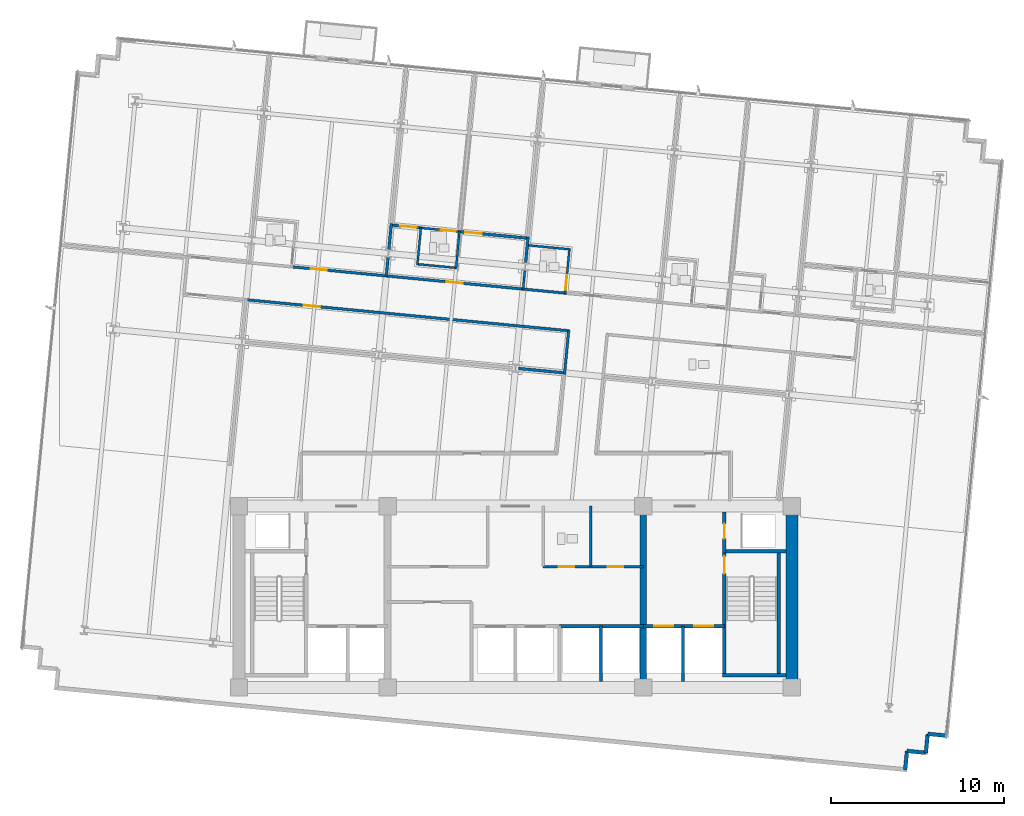
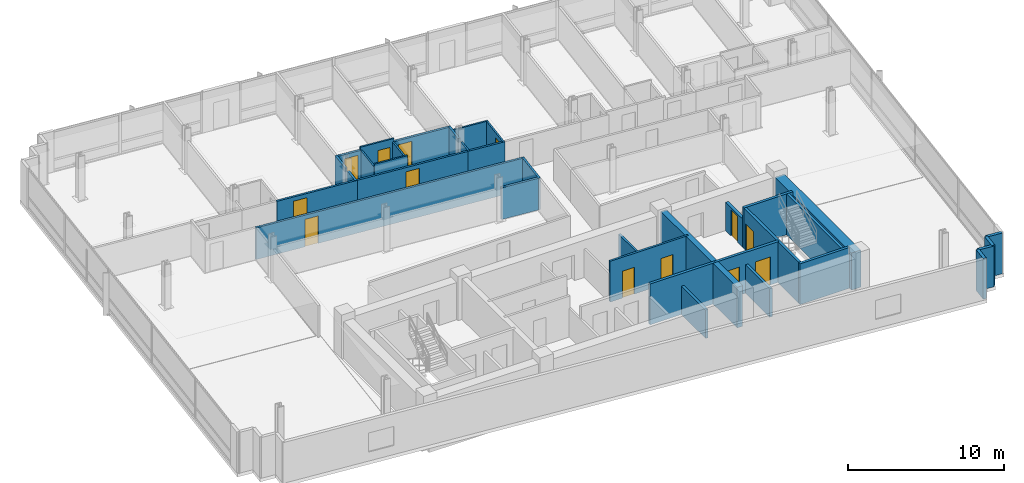
# One storey, part 11 of 17: 35 walls, 13 doors, 13 openings.
"""IFC4 building model written with IfcOpenShell, lengths in metres."""

import ifcopenshell
import ifcopenshell.guid

model = None  # the IFC model being written
_history = None  # IfcOwnerHistory: only IFC2X3 demands one
_inside = {}  # id of a spatial element -> (the spatial element, [elements in it])
_under = {}  # id of a project, library or spatial element -> (it, [spatial elements below it])
_declared = {}  # id of a project -> (the project, [libraries it declares])
_typed = {}  # id of a type object -> (the type object, [elements of that type])
_made_of = {}  # id of a material, layer set ... -> (it, [elements and type objects made of it])


def new_model(schema):
    """Start an empty IFC model of exactly this schema.

    Asked for "IFC4X3", IfcOpenShell would pick the latest addendum, in which some entities
    have other attributes; the version numbers below select the first issue.
    IFC2X3 requires an IfcOwnerHistory on every rooted entity: one is made here for all.
    """
    global model, _history
    if schema == "IFC4X3":
        model = ifcopenshell.file(schema_version=(4, 3, 0, 0))
    else:
        model = ifcopenshell.file(schema=schema)
    _inside.clear()
    _under.clear()
    _declared.clear()
    _typed.clear()
    _made_of.clear()
    _history = None
    if model.schema == "IFC2X3":
        org = make("IfcOrganization", Name="unknown")
        user = make(
            "IfcPersonAndOrganization",
            ThePerson=make("IfcPerson", FamilyName="unknown"),
            TheOrganization=org,
        )
        app = make(
            "IfcApplication",
            ApplicationDeveloper=org,
            Version="unknown",
            ApplicationFullName="unknown",
            ApplicationIdentifier="unknown",
        )
        _history = make(
            "IfcOwnerHistory",
            OwningUser=user,
            OwningApplication=app,
            ChangeAction="ADDED",
            CreationDate=0,
        )
    return model


def make(cls, **values):
    """One entity of the class cls with the attributes given. An attribute that is None is left unset."""
    return model.create_entity(
        cls, **{name: value for name, value in values.items() if value is not None}
    )


def rooted(cls, **values):
    """An entity with a GlobalId (a new one), such as an element, a storey or a relation."""
    return make(cls, GlobalId=ifcopenshell.guid.new(), OwnerHistory=_history, **values)


def si_unit(unit_type, name, prefix=None):
    """IfcSIUnit, for example si_unit("LENGTHUNIT", "METRE", prefix="MILLI")."""
    return make("IfcSIUnit", UnitType=unit_type, Prefix=prefix, Name=name)


def assignment(units):
    """IfcUnitAssignment: the units of a project."""
    return None if units is None else make("IfcUnitAssignment", Units=units)


def point(xyz):
    """IfcCartesianPoint."""
    return None if xyz is None else make("IfcCartesianPoint", Coordinates=xyz)


def direction(xyz):
    """IfcDirection."""
    return None if xyz is None else make("IfcDirection", DirectionRatios=xyz)


def frame(location, z_axis=None, x_axis=None):
    """IfcAxis2Placement3D, a coordinate frame: its origin and axes. An axis left out is left unset."""
    return make(
        "IfcAxis2Placement3D",
        Location=point(location),
        Axis=direction(z_axis),
        RefDirection=direction(x_axis),
    )


def frame_2d(location, x_axis=None):
    """IfcAxis2Placement2D, a coordinate frame in the plane: its origin and x axis."""
    return make(
        "IfcAxis2Placement2D", Location=point(location), RefDirection=direction(x_axis)
    )


def origin():
    """The frame at (0, 0, 0) with its axes left unset."""
    return frame((0.0, 0.0, 0.0))


def place(relative_to, where):
    """IfcLocalPlacement: puts the frame where relative to a parent placement (None: the world)."""
    return make(
        "IfcLocalPlacement", PlacementRelTo=relative_to, RelativePlacement=where
    )


def context(
    kind, dimensions, precision=None, world=None, true_north=None, identifier=None
):
    """IfcGeometricRepresentationContext, for example the 3D "Model" context."""
    return make(
        "IfcGeometricRepresentationContext",
        ContextIdentifier=identifier,
        ContextType=kind,
        CoordinateSpaceDimension=dimensions,
        Precision=precision,
        WorldCoordinateSystem=world,
        TrueNorth=true_north,
    )


def subcontext(parent, identifier, kind, view, scale=None):
    """IfcGeometricRepresentationSubContext, for example "Body" below "Model"."""
    return make(
        "IfcGeometricRepresentationSubContext",
        ContextIdentifier=identifier,
        ContextType=kind,
        ParentContext=parent,
        TargetScale=scale,
        TargetView=view,
    )


def project(units=None, contexts=None):
    """IfcProject with its units and contexts."""
    return rooted(
        "IfcProject",
        Name="project",
        RepresentationContexts=contexts,
        UnitsInContext=assignment(units),
    )


def spatial(cls, under=None, at=None, **own):
    """A site, building, storey or space (cls), placed at a placement, below another one or the project."""
    s = rooted(cls, ObjectPlacement=at, **own)
    if under is not None:
        _under.setdefault(under.id(), (under, []))[1].append(s)
    return s


def profile(cls, at=None, kind="AREA", **sizes):
    """A parametric profile (cls). Its sizes go by their IFC names, for example OverallWidth=200.0."""
    return make(cls, ProfileType=kind, Position=at, **sizes)


def rectangle(**sizes):
    """IfcRectangleProfileDef."""
    return profile("IfcRectangleProfileDef", **sizes)


def extrude(swept, where, along, depth):
    """IfcExtrudedAreaSolid: the profile swept, set in the frame where, extruded along a direction by depth."""
    return make(
        "IfcExtrudedAreaSolid",
        SweptArea=swept,
        Position=where,
        ExtrudedDirection=direction(along),
        Depth=depth,
    )


def shape(context_of_items, identifier, shape_type, items):
    """IfcShapeRepresentation: the items that make up one representation, for example the "Body"."""
    return make(
        "IfcShapeRepresentation",
        ContextOfItems=context_of_items,
        RepresentationIdentifier=identifier,
        RepresentationType=shape_type,
        Items=items,
    )


def material(Name=None, Category=None):
    """IfcMaterial."""
    return make("IfcMaterial", Name=Name, Category=Category)


def layer(
    of_material, thickness, ventilated=None, Name=None, Category=None, Priority=None
):
    """IfcMaterialLayer: one layer of a wall or slab, of a material (None: an air gap)."""
    return make(
        "IfcMaterialLayer",
        Material=of_material,
        LayerThickness=thickness,
        IsVentilated=ventilated,
        Name=Name,
        Category=Category,
        Priority=Priority,
    )


def layer_set(layers, Name=None):
    """IfcMaterialLayerSet."""
    return make("IfcMaterialLayerSet", MaterialLayers=layers, LayerSetName=Name)


def made_of(thing, what):
    """Note that an element or type object is made of a material, layer set ...; save() writes the relation."""
    if what is not None:
        _made_of.setdefault(what.id(), (what, []))[1].append(thing)
    return thing


def type_object(cls, material=None, **own):
    """A type object (cls), such as IfcWallType, which elements share."""
    return made_of(rooted(cls, **own), material)


def element(
    cls,
    number,
    at=None,
    inside=None,
    cuts=None,
    type_object=None,
    material=None,
    context=None,
    identifier="Body",
    shape_type=None,
    held_by="IfcProductDefinitionShape",
    body=None,
    shapes=None,
    **own,
):
    """One element of the class cls, such as IfcWall. Its Tag is "e" and its number.

    at: its placement. inside: the storey or other place that contains it. cuts: it is an
    opening in that element (IfcRelVoidsElement). A single representation is given by context,
    identifier, shape_type and body (its items); several are given by shapes. held_by: the class
    of the entity that holds the representations. save() writes the other relations.
    """
    e = rooted(cls, Tag="e%d" % number, ObjectPlacement=at, **own)
    if body is not None:
        shapes = [shape(context, identifier, shape_type, body)]
    if shapes is not None:
        e.Representation = make(held_by, Representations=shapes)
    if inside is not None:
        _inside.setdefault(inside.id(), (inside, []))[1].append(e)
    if cuts is not None:
        rooted(
            "IfcRelVoidsElement", RelatingBuildingElement=cuts, RelatedOpeningElement=e
        )
    if type_object is not None:
        _typed.setdefault(type_object.id(), (type_object, []))[1].append(e)
    return made_of(e, material)


def fill(opening, filler):
    """IfcRelFillsElement: the door or window that sits in an opening."""
    return rooted(
        "IfcRelFillsElement",
        RelatingOpeningElement=opening,
        RelatedBuildingElement=filler,
    )


def aggregate(whole, parts):
    """IfcRelAggregates: a whole, such as a stair, and the parts it consists of."""
    return rooted("IfcRelAggregates", RelatingObject=whole, RelatedObjects=parts)


def save(model, path):
    """Write the relations noted so far, then the file.

    IfcRelAggregates (storeys below a building ...), IfcRelContainedInSpatialStructure (elements
    in a storey), IfcRelDefinesByType, IfcRelAssociatesMaterial and IfcRelDeclares: one each for
    every whole, place, type object, material and project.
    """
    for whole, parts in _under.values():
        aggregate(whole, parts)
    for where, things in _inside.values():
        rooted(
            "IfcRelContainedInSpatialStructure",
            RelatedElements=things,
            RelatingStructure=where,
        )
    for kind, things in _typed.values():
        rooted("IfcRelDefinesByType", RelatedObjects=things, RelatingType=kind)
    for what, things in _made_of.values():
        rooted("IfcRelAssociatesMaterial", RelatedObjects=things, RelatingMaterial=what)
    for by, libraries in _declared.values():
        rooted("IfcRelDeclares", RelatingContext=by, RelatedDefinitions=libraries)
    model.write(path)


model = new_model("IFC4")

# Units and contexts
model_context = context("Model", 3, precision=1e-05, world=origin(), true_north=direction((0.0, 1.0)))
body_context = subcontext(model_context, "Body", "Model", "MODEL_VIEW")
ifc_project = project(units=[si_unit("LENGTHUNIT", "METRE"), si_unit("AREAUNIT", "SQUARE_METRE"), si_unit("VOLUMEUNIT", "CUBIC_METRE"), si_unit("PLANEANGLEUNIT", "RADIAN"), si_unit("MASSUNIT", "GRAM", prefix="KILO")], contexts=[model_context])

# Site, building, storey
site_placement = place(None, origin())
site = spatial("IfcSite", under=ifc_project, at=site_placement, CompositionType="ELEMENT")
building_placement = place(site_placement, origin())
building = spatial("IfcBuilding", under=site, at=building_placement, Name="Solmavex Isthmus Hotel", CompositionType="ELEMENT")
storey_placement = place(building_placement, frame((0.0, 0.0, 139.35009765625)))
storey = spatial("IfcBuildingStorey", under=building, at=storey_placement, Name="L37", CompositionType="ELEMENT", Elevation=139.35009765625)

# Walls
ifc_material_1 = material(Name="Precast Concrete C40/50", Category="concrete")
ifc_layer_1 = layer(ifc_material_1, 0.25)
ifc_layer_set_1 = layer_set([ifc_layer_1], Name="Precast Concrete C40/50")
wall_type_1 = type_object("IfcWallType", Name="EW-TWR-250", PredefinedType="STANDARD", material=ifc_layer_set_1)
for number, where, z_axis, x_axis, name in (
    (1, (24.966552734375, -15.79052734375, 0.0), (0.0, 0.0, 1.0), (-0.995393156894, 0.095877334176, 0.0), "Serrated Corner Facade Panel L37-22"),
    (2, (23.87158203125, -15.68505859375, 0.0), (0.0, 0.0, 1.0), (-0.095877334176, -0.995393156894, 0.0), "Serrated Corner Facade Panel L37-23"),
    (3, (23.76611328125, -16.780029296875, 0.0), (0.0, 0.0, 1.0), (-0.995393156894, 0.095877334176, 0.0), "Serrated Corner Facade Panel L37-24"),
    (4, (22.671142578125, -16.674560546875, 0.0), (0.0, 0.0, 1.0), (-0.095657429048, -0.995414313875, 0.0), "Serrated Corner Facade Panel L37-25"),
):
    element("IfcWall", number, at=place(storey_placement, frame(where, z_axis=z_axis, x_axis=x_axis)), inside=storey, type_object=wall_type_1, Name=name, PredefinedType="STANDARD", context=body_context, shape_type="SweptSolid", body=[
        extrude(rectangle(XDim=1.10009765625, YDim=0.219970703125, at=frame_2d((0.550048828125, 0.0))), origin(), (0.0, 0.0, 1.0), 3.18994140625),
    ])
ifc_material_2 = material(Name="Gypsum plasterboard lining", Category="gypsum")
ifc_layer_2 = layer(ifc_material_2, 0.159912109375)
ifc_layer_set_2 = layer_set([ifc_layer_2], Name="Gypsum plasterboard lining")
wall_type_2 = type_object("IfcWallType", Name="IW-COMP-160", PredefinedType="PARTITIONING", material=ifc_layer_set_2)
wall_1_placement = place(storey_placement, frame((-7.36865234375, 11.95849609375, 0.0), z_axis=(0.0, 0.0, 1.0), x_axis=(-0.095831494917, -0.995397571115, 0.0)))
element("IfcWall", 5, at=wall_1_placement, inside=storey, type_object=wall_type_2, Name="Interior Partition Wall W-L37-P033", PredefinedType="PARTITIONING", context=body_context, shape_type="SweptSolid", body=[
    extrude(rectangle(XDim=1.171875, YDim=0.159912109375, at=frame_2d((0.5859375, 0.0))), origin(), (0.0, 0.0, 1.0), 2.4794921875),
])
wall_2_placement = place(storey_placement, frame((-7.185791015625, 13.857666015625, 0.0), z_axis=(0.0, 0.0, 1.0), x_axis=(-0.095867871334, -0.99539406832, 0.0)))
element("IfcWall", 6, at=wall_2_placement, inside=storey, type_object=wall_type_2, Name="Interior Partition Wall W-L37-P034", PredefinedType="PARTITIONING", context=body_context, shape_type="SweptSolid", body=[
    extrude(rectangle(XDim=1.555908203125, YDim=0.159912109375, at=frame_2d((0.77783203125, 0.0))), origin(), (0.0, 0.0, 1.0), 2.4794921875),
])

# Wall, opening, door
wall_3_placement = place(storey_placement, frame((-7.2333984375, 13.780029296875, 0.0), z_axis=(0.0, 0.0, 1.0), x_axis=(0.995392932756, -0.095879661139, 0.0)))
wall_3 = element("IfcWall", 7, at=wall_3_placement, inside=storey, type_object=wall_type_2, Name="Interior Partition Wall W-L37-P037", PredefinedType="PARTITIONING", context=body_context, shape_type="SweptSolid", body=[
    extrude(rectangle(XDim=1.807861328125, YDim=0.159912109375, at=frame_2d((0.90380859375, 0.0))), origin(), (0.0, 0.0, 1.0), 2.4794921875),
])
opening_1_placement = place(wall_3_placement, frame((0.57421875, 0.0, 0.0)))
opening_1 = element("IfcOpeningElement", 8, at=opening_1_placement, cuts=wall_3, Name="Opening ID-C095", PredefinedType="OPENING", context=body_context, shape_type="SweptSolid", body=[
    extrude(rectangle(XDim=0.949951171875, YDim=2.14990234375, at=frame_2d((0.47509765625, 1.074951171875))), frame((0.0, 0.08984375, 0.0), z_axis=(0.0, -1.0, 0.0), x_axis=(1.0, 0.0, 0.0)), (0.0, 0.0, 1.0), 0.179931640625),
])
ifc_material_3 = material(Name="Hardwood timber", Category="wood")
door_type_1 = type_object("IfcDoorType", Name="IDR-FD60-0950", OperationType="NOTDEFINED", PredefinedType="DOOR", material=ifc_material_3)
door_1_placement = place(opening_1_placement, origin())
door_1 = element("IfcDoor", 9, at=door_1_placement, inside=storey, type_object=door_type_1, Name="Premier Suite Bedroom Door L37-05", OperationType="SINGLE_SWING_LEFT", OverallHeight=2.14990234375, OverallWidth=0.949951171875, PredefinedType="DOOR", context=body_context, shape_type="SweptSolid", body=[
    extrude(rectangle(XDim=0.949951171875, YDim=2.14990234375, at=frame_2d((0.47509765625, 1.074951171875))), frame((0.0, 0.02490234375, 0.0), z_axis=(0.0, -1.0, 0.0), x_axis=(1.0, 0.0, 0.0)), (0.0, 0.0, 1.0), 0.050048828125),
])
fill(opening_1, door_1)

wall_4_placement = place(storey_placement, frame((-3.28369140625, 13.399658203125, 0.0), z_axis=(0.0, 0.0, 1.0), x_axis=(0.995395934192, -0.095848496045, 0.0)))
wall_4 = element("IfcWall", 10, at=wall_4_placement, inside=storey, type_object=wall_type_2, Name="Interior Partition Wall W-L37-P038", PredefinedType="PARTITIONING", context=body_context, shape_type="SweptSolid", body=[
    extrude(rectangle(XDim=4.06787109375, YDim=0.159912109375, at=frame_2d((2.033935546875, 0.0))), origin(), (0.0, 0.0, 1.0), 2.4794921875),
])
opening_2_placement = place(wall_4_placement, frame((0.386474609375, 0.0, 0.0)))
opening_2 = element("IfcOpeningElement", 11, at=opening_2_placement, cuts=wall_4, Name="Opening ID-C095", PredefinedType="OPENING", context=body_context, shape_type="SweptSolid", body=[
    extrude(rectangle(XDim=0.949951171875, YDim=2.14990234375, at=frame_2d((0.47509765625, 1.074951171875))), frame((0.0, 0.08984375, 0.0), z_axis=(0.0, -1.0, 0.0), x_axis=(1.0, 0.0, 0.0)), (0.0, 0.0, 1.0), 0.179931640625),
])
door_2_placement = place(opening_2_placement, origin())
door_2 = element("IfcDoor", 12, at=door_2_placement, inside=storey, type_object=door_type_1, Name="Premier Suite Sitting Lounge Door L37-06", OperationType="SINGLE_SWING_RIGHT", OverallHeight=2.14990234375, OverallWidth=0.949951171875, PredefinedType="DOOR", context=body_context, shape_type="SweptSolid", body=[
    extrude(rectangle(XDim=0.949951171875, YDim=2.14990234375, at=frame_2d((0.47509765625, 1.074951171875))), frame((0.0, 0.02490234375, 0.0), z_axis=(0.0, -1.0, 0.0), x_axis=(1.0, 0.0, 0.0)), (0.0, 0.0, 1.0), 0.050048828125),
])
fill(opening_2, door_2)

# Walls
wall_5_placement = place(storey_placement, frame((0.7294921875, 13.053466796875, 0.0), z_axis=(0.0, 0.0, 1.0), x_axis=(-0.095783075571, -0.995402231479, 0.0)))
element("IfcWall", 13, at=wall_5_placement, inside=storey, type_object=wall_type_2, Name="Interior Partition Wall W-L37-P042", PredefinedType="PARTITIONING", context=body_context, shape_type="SweptSolid", body=[
    extrude(rectangle(XDim=1.51416015625, YDim=0.159912109375, at=frame_2d((0.757080078125, 0.0))), origin(), (0.0, 0.0, 1.0), 2.4794921875),
])
wall_6_placement = place(storey_placement, frame((2.885986328125, 5.212646484375, 0.0), z_axis=(0.0, 0.0, 1.0), x_axis=(-0.995401466761, 0.095791022391, 0.0)))
element("IfcWall", 14, at=wall_6_placement, inside=storey, type_object=wall_type_2, Name="Interior Partition Wall W-L37-P078", PredefinedType="PARTITIONING", context=body_context, shape_type="SweptSolid", body=[
    extrude(rectangle(XDim=2.721923828125, YDim=0.159912109375, at=frame_2d((1.36083984375, 0.0))), origin(), (0.0, 0.0, 1.0), 2.4794921875),
])

# Wall, openings, doors
ifc_layer_3 = layer(ifc_material_2, 0.14990234375)
ifc_layer_set_3 = layer_set([ifc_layer_3], Name="Gypsum plasterboard lining")
wall_type_3 = type_object("IfcWallType", Name="IW-CORR-150", PredefinedType="PARTITIONING", material=ifc_layer_set_3)
wall_7_placement = place(storey_placement, frame((1.60009765625, -6.0, 0.0), z_axis=(0.0, 0.0, 1.0), x_axis=(1.0, 0.0, 0.0)))
wall_7 = element("IfcWall", 15, at=wall_7_placement, inside=storey, type_object=wall_type_3, Name="Interior Partition Wall W-L37-BOH-ES", PredefinedType="PARTITIONING", context=body_context, shape_type="SweptSolid", body=[
    extrude(rectangle(XDim=5.7998046875, YDim=0.14990234375, at=frame_2d((2.89990234375, 0.0))), origin(), (0.0, 0.0, 1.0), 3.18994140625),
])
opening_3_placement = place(wall_7_placement, frame((0.89990234375, 0.0, 0.0)))
opening_3 = element("IfcOpeningElement", 16, at=opening_3_placement, cuts=wall_7, Name="Opening ID-C090", PredefinedType="OPENING", context=body_context, shape_type="SweptSolid", body=[
    extrude(rectangle(XDim=0.89990234375, YDim=2.10009765625, at=frame_2d((0.449951171875, 1.050048828125))), frame((0.0, 0.0849609375, 0.0), z_axis=(0.0, -1.0, 0.0), x_axis=(1.0, 0.0, 0.0)), (0.0, 0.0, 1.0), 0.169921875),
])
opening_4_placement = place(wall_7_placement, frame((3.75, 0.0, 0.0)))
opening_4 = element("IfcOpeningElement", 17, at=opening_4_placement, cuts=wall_7, Name="Opening ID-C090", PredefinedType="OPENING", context=body_context, shape_type="SweptSolid", body=[
    extrude(rectangle(XDim=0.89990234375, YDim=2.10009765625, at=frame_2d((0.449951171875, 1.050048828125))), frame((0.0, 0.0849609375, 0.0), z_axis=(0.0, -1.0, 0.0), x_axis=(1.0, 0.0, 0.0)), (0.0, 0.0, 1.0), 0.169921875),
])
door_type_2 = type_object("IfcDoorType", Name="IDR-FD60-0900", OperationType="NOTDEFINED", PredefinedType="DOOR", material=ifc_material_3)
door_3_placement = place(opening_3_placement, frame((0.89990234375, 0.0, 0.0), z_axis=(0.0, 0.0, 1.0), x_axis=(-1.0, 0.0, 0.0)))
door_3 = element("IfcDoor", 18, at=door_3_placement, inside=storey, type_object=door_type_2, Name="Staff WC Door L37", OperationType="SINGLE_SWING_RIGHT", OverallHeight=2.10009765625, OverallWidth=0.89990234375, PredefinedType="DOOR", context=body_context, shape_type="SweptSolid", body=[
    extrude(rectangle(XDim=0.89990234375, YDim=2.10009765625, at=frame_2d((0.449951171875, 1.050048828125))), frame((0.0, 0.02490234375, 0.0), z_axis=(0.0, -1.0, 0.0), x_axis=(1.0, 0.0, 0.0)), (0.0, 0.0, 1.0), 0.050048828125),
])
fill(opening_3, door_3)
door_4_placement = place(opening_4_placement, frame((0.89990234375, 0.0, 0.0), z_axis=(0.0, 0.0, 1.0), x_axis=(-1.0, 0.0, 0.0)))
door_4 = element("IfcDoor", 19, at=door_4_placement, inside=storey, type_object=door_type_2, Name="Pantry Door L37", OperationType="SINGLE_SWING_LEFT", OverallHeight=2.10009765625, OverallWidth=0.89990234375, PredefinedType="DOOR", context=body_context, shape_type="SweptSolid", body=[
    extrude(rectangle(XDim=0.89990234375, YDim=2.10009765625, at=frame_2d((0.449951171875, 1.050048828125))), frame((0.0, 0.02490234375, 0.0), z_axis=(0.0, -1.0, 0.0), x_axis=(1.0, 0.0, 0.0)), (0.0, 0.0, 1.0), 0.050048828125),
])
fill(opening_4, door_4)

# Wall, opening, door
wall_8_placement = place(storey_placement, frame((-13.03955078125, 11.3671875, 0.0), z_axis=(0.0, 0.0, 1.0), x_axis=(0.995396240334, -0.095845316679, 0.0)))
wall_8 = element("IfcWall", 20, at=wall_8_placement, inside=storey, type_object=wall_type_3, Name="Interior Partition Wall W-L37-P002", PredefinedType="PARTITIONING", context=body_context, shape_type="SweptSolid", body=[
    extrude(rectangle(XDim=5.670166015625, YDim=0.14990234375, at=frame_2d((2.8349609375, 0.0))), origin(), (0.0, 0.0, 1.0), 2.4794921875),
])
opening_5_placement = place(wall_8_placement, frame((1.18603515625, 0.0, 0.0)))
opening_5 = element("IfcOpeningElement", 21, at=opening_5_placement, cuts=wall_8, Name="Opening ID-C095", PredefinedType="OPENING", context=body_context, shape_type="SweptSolid", body=[
    extrude(rectangle(XDim=0.949951171875, YDim=2.14990234375, at=frame_2d((0.47509765625, 1.074951171875))), frame((0.0, 0.0849609375, 0.0), z_axis=(0.0, -1.0, 0.0), x_axis=(1.0, 0.0, 0.0)), (0.0, 0.0, 1.0), 0.169921875),
])
door_5_placement = place(opening_5_placement, frame((0.949951171875, 0.0, 0.0), z_axis=(0.0, 0.0, 1.0), x_axis=(-1.0, 0.0, 0.0)))
door_5 = element("IfcDoor", 22, at=door_5_placement, inside=storey, type_object=door_type_1, Name="Premier Suite Door L37-02", OperationType="SINGLE_SWING_RIGHT", OverallHeight=2.14990234375, OverallWidth=0.949951171875, PredefinedType="DOOR", context=body_context, shape_type="SweptSolid", body=[
    extrude(rectangle(XDim=0.949951171875, YDim=2.14990234375, at=frame_2d((0.47509765625, 1.074951171875))), frame((0.0, 0.02490234375, 0.0), z_axis=(0.0, -1.0, 0.0), x_axis=(1.0, 0.0, 0.0)), (0.0, 0.0, 1.0), 0.050048828125),
])
fill(opening_5, door_5)

wall_9_placement = place(storey_placement, frame((-7.558837890625, 10.839599609375, 0.0), z_axis=(0.0, 0.0, 1.0), x_axis=(0.995395467524, -0.095853342309, 0.0)))
wall_9 = element("IfcWall", 23, at=wall_9_placement, inside=storey, type_object=wall_type_3, Name="Interior Partition Wall W-L37-P004", PredefinedType="PARTITIONING", context=body_context, shape_type="SweptSolid", body=[
    extrude(rectangle(XDim=8.119873046875, YDim=0.14990234375, at=frame_2d((4.06005859375, 0.0))), origin(), (0.0, 0.0, 1.0), 2.4794921875),
])
opening_6_placement = place(wall_9_placement, frame((3.5849609375, 0.0, 0.0)))
opening_6 = element("IfcOpeningElement", 24, at=opening_6_placement, cuts=wall_9, Name="Opening ID-C095", PredefinedType="OPENING", context=body_context, shape_type="SweptSolid", body=[
    extrude(rectangle(XDim=0.949951171875, YDim=2.14990234375, at=frame_2d((0.47509765625, 1.074951171875))), frame((0.0, 0.0849609375, 0.0), z_axis=(0.0, -1.0, 0.0), x_axis=(1.0, 0.0, 0.0)), (0.0, 0.0, 1.0), 0.169921875),
])
door_6_placement = place(opening_6_placement, frame((0.949951171875, 0.0, 0.0), z_axis=(0.0, 0.0, 1.0), x_axis=(-1.0, 0.0, 0.0)))
door_6 = element("IfcDoor", 25, at=door_6_placement, inside=storey, type_object=door_type_1, Name="Premier Suite Reception Foyer Door L37-04", OperationType="SINGLE_SWING_RIGHT", OverallHeight=2.14990234375, OverallWidth=0.949951171875, PredefinedType="DOOR", context=body_context, shape_type="SweptSolid", body=[
    extrude(rectangle(XDim=0.949951171875, YDim=2.14990234375, at=frame_2d((0.47509765625, 1.074951171875))), frame((0.0, 0.02490234375, 0.0), z_axis=(0.0, -1.0, 0.0), x_axis=(1.0, 0.0, 0.0)), (0.0, 0.0, 1.0), 0.050048828125),
])
fill(opening_6, door_6)

# Walls
wall_10_placement = place(storey_placement, frame((0.360595703125, 10.076904296875, 0.0), z_axis=(0.0, 0.0, 1.0), x_axis=(0.995397556197, -0.095831649869, 0.0)))
element("IfcWall", 26, at=wall_10_placement, inside=storey, type_object=wall_type_3, Name="Interior Partition Wall W-L37-P006", PredefinedType="PARTITIONING", context=body_context, shape_type="SweptSolid", body=[
    extrude(rectangle(XDim=2.61376953125, YDim=0.14990234375, at=frame_2d((1.306884765625, 0.0))), origin(), (0.0, 0.0, 1.0), 2.4794921875),
])
wall_11_placement = place(storey_placement, frame((2.83837890625, 5.134765625, 0.0), z_axis=(0.0, 0.0, 1.0), x_axis=(0.095772090971, 0.995403288417, 0.0)))
element("IfcWall", 27, at=wall_11_placement, inside=storey, type_object=wall_type_3, Name="Interior Partition Wall W-L37-P014", PredefinedType="PARTITIONING", context=body_context, shape_type="SweptSolid", body=[
    extrude(rectangle(XDim=2.572021484375, YDim=0.14990234375, at=frame_2d((1.2861328125, 0.0))), origin(), (0.0, 0.0, 1.0), 2.4794921875),
])

# Wall, opening, door
wall_12_placement = place(storey_placement, frame((3.120849609375, 7.6513671875, 0.0), z_axis=(0.0, 0.0, 1.0), x_axis=(-0.995397135603, 0.095836018457, 0.0)))
wall_12 = element("IfcWall", 28, at=wall_12_placement, inside=storey, type_object=wall_type_3, Name="Interior Partition Wall W-L37-P015", PredefinedType="PARTITIONING", context=body_context, shape_type="SweptSolid", body=[
    extrude(rectangle(XDim=18.89208984375, YDim=0.14990234375, at=frame_2d((9.446044921875, 0.0))), origin(), (0.0, 0.0, 1.0), 2.4794921875),
])
opening_7_placement = place(wall_12_placement, frame((14.501708984375, 0.0, 0.0)))
opening_7 = element("IfcOpeningElement", 29, at=opening_7_placement, cuts=wall_12, Name="Opening ID-C095", PredefinedType="OPENING", context=body_context, shape_type="SweptSolid", body=[
    extrude(rectangle(XDim=0.949951171875, YDim=2.14990234375, at=frame_2d((0.47509765625, 1.074951171875))), frame((0.0, 0.0849609375, 0.0), z_axis=(0.0, -1.0, 0.0), x_axis=(1.0, 0.0, 0.0)), (0.0, 0.0, 1.0), 0.169921875),
])
door_7_placement = place(opening_7_placement, frame((0.949951171875, 0.0, 0.0), z_axis=(0.0, 0.0, 1.0), x_axis=(-1.0, 0.0, 0.0)))
door_7 = element("IfcDoor", 30, at=door_7_placement, inside=storey, type_object=door_type_1, Name="Wellness Treatment Room Door L37-19", OperationType="SINGLE_SWING_LEFT", OverallHeight=2.14990234375, OverallWidth=0.949951171875, PredefinedType="DOOR", context=body_context, shape_type="SweptSolid", body=[
    extrude(rectangle(XDim=0.949951171875, YDim=2.14990234375, at=frame_2d((0.47509765625, 1.074951171875))), frame((0.0, 0.02490234375, 0.0), z_axis=(0.0, -1.0, 0.0), x_axis=(1.0, 0.0, 0.0)), (0.0, 0.0, 1.0), 0.050048828125),
])
fill(opening_7, door_7)

# Walls
ifc_layer_4 = layer(ifc_material_2, 0.1201171875)
ifc_layer_set_4 = layer_set([ifc_layer_4], Name="Gypsum plasterboard lining")
wall_type_4 = type_object("IfcWallType", Name="IW-PART-120", PredefinedType="PARTITIONING", material=ifc_layer_set_4)
wall_13_placement = place(storey_placement, frame((4.35009765625, -6.0, 0.0), z_axis=(0.0, 0.0, 1.0), x_axis=(0.0, 1.0, 0.0)))
element("IfcWall", 31, at=wall_13_placement, inside=storey, type_object=wall_type_4, Name="Interior Partition Wall W-L37-BOH-EM0", PredefinedType="PARTITIONING", context=body_context, shape_type="SweptSolid", body=[
    extrude(rectangle(XDim=3.5, YDim=0.14990234375, at=frame_2d((1.75, 0.0))), origin(), (0.0, 0.0, 1.0), 2.224853515625),
])
wall_14_placement = place(storey_placement, frame((-5.4697265625, 13.650390625, 0.0), z_axis=(0.0, 0.0, 1.0), x_axis=(-0.095846349626, -0.995396140872, 0.0)))
element("IfcWall", 32, at=wall_14_placement, inside=storey, type_object=wall_type_4, Name="Interior Partition Wall W-L37-P039", PredefinedType="PARTITIONING", context=body_context, shape_type="SweptSolid", body=[
    extrude(rectangle(XDim=2.18798828125, YDim=0.1201171875, at=frame_2d((1.093994140625, 0.0))), origin(), (0.0, 0.0, 1.0), 2.4794921875),
])
wall_15_placement = place(storey_placement, frame((-5.715576171875, 11.51611328125, 0.0), z_axis=(0.0, 0.0, 1.0), x_axis=(0.995393658532, -0.095872126059, 0.0)))
element("IfcWall", 33, at=wall_15_placement, inside=storey, type_object=wall_type_4, Name="Interior Partition Wall W-L37-P040", PredefinedType="PARTITIONING", context=body_context, shape_type="SweptSolid", body=[
    extrude(rectangle(XDim=2.330078125, YDim=0.1201171875, at=frame_2d((1.1650390625, 0.0))), origin(), (0.0, 0.0, 1.0), 2.718017578125),
])
wall_16_placement = place(storey_placement, frame((-3.439697265625, 11.256591796875, 0.0), z_axis=(0.0, 0.0, 1.0), x_axis=(0.091159469261, 0.995836307414, 0.0)))
element("IfcWall", 34, at=wall_16_placement, inside=storey, type_object=wall_type_4, Name="Interior Partition Wall W-L37-P041", PredefinedType="PARTITIONING", context=body_context, shape_type="SweptSolid", body=[
    extrude(rectangle(XDim=2.18798828125, YDim=0.1201171875, at=frame_2d((1.093994140625, 0.0))), origin(), (0.0, 0.0, 1.0), 2.4794921875),
])
wall_17_placement = place(storey_placement, frame((0.55078125, 11.196044921875, 0.0), z_axis=(0.0, 0.0, 1.0), x_axis=(-0.096017994315, -0.995379598328, 0.0)))
element("IfcWall", 35, at=wall_17_placement, inside=storey, type_object=wall_type_4, Name="Interior Partition Wall W-L37-P043", PredefinedType="PARTITIONING", context=body_context, shape_type="SweptSolid", body=[
    extrude(rectangle(XDim=1.172119140625, YDim=0.1201171875, at=frame_2d((0.5859375, 0.0))), origin(), (0.0, 0.0, 1.0), 2.4794921875),
])

# Wall, opening, door
wall_18_placement = place(storey_placement, frame((-3.194091796875, 13.390869140625, 0.0), z_axis=(0.0, 0.0, 1.0), x_axis=(-0.995388451302, 0.095926174813, 0.0)))
wall_18 = element("IfcWall", 36, at=wall_18_placement, inside=storey, type_object=wall_type_4, Name="Interior Partition Wall W-L37-P045", PredefinedType="PARTITIONING", context=body_context, shape_type="SweptSolid", body=[
    extrude(rectangle(XDim=2.3720703125, YDim=0.1201171875, at=frame_2d((1.18603515625, 0.0))), origin(), (0.0, 0.0, 1.0), 2.718017578125),
])
opening_8_placement = place(wall_18_placement, frame((0.27978515625, 0.0, 0.0)))
opening_8 = element("IfcOpeningElement", 37, at=opening_8_placement, cuts=wall_18, Name="Opening ID-U085", PredefinedType="OPENING", context=body_context, shape_type="SweptSolid", body=[
    extrude(rectangle(XDim=0.85009765625, YDim=2.10009765625, at=frame_2d((0.425048828125, 1.050048828125))), frame((0.0, 0.070068359375, 0.0), z_axis=(0.0, -1.0, 0.0), x_axis=(1.0, 0.0, 0.0)), (0.0, 0.0, 1.0), 0.14013671875),
])
door_type_3 = type_object("IfcDoorType", Name="IDR-UNR-0850", OperationType="NOTDEFINED", PredefinedType="DOOR", material=ifc_material_3)
door_8_placement = place(opening_8_placement, frame((0.85009765625, 0.0, 0.0), z_axis=(0.0, 0.0, 1.0), x_axis=(-1.0, 0.0, 0.0)))
door_8 = element("IfcDoor", 38, at=door_8_placement, inside=storey, type_object=door_type_3, Name="En-suite Bathroom Door L37-07", OperationType="SINGLE_SWING_LEFT", OverallHeight=2.10009765625, OverallWidth=0.85009765625, PredefinedType="DOOR", context=body_context, shape_type="SweptSolid", body=[
    extrude(rectangle(XDim=0.85009765625, YDim=2.10009765625, at=frame_2d((0.425048828125, 1.050048828125))), frame((0.0, 0.02490234375, 0.0), z_axis=(0.0, -1.0, 0.0), x_axis=(1.0, 0.0, 0.0)), (0.0, 0.0, 1.0), 0.050048828125),
])
fill(opening_8, door_8)

wall_19_placement = place(storey_placement, frame((2.876953125, 9.79443359375, 0.0), z_axis=(0.0, 0.0, 1.0), x_axis=(0.095891053428, 0.995391835345, 0.0)))
wall_19 = element("IfcWall", 39, at=wall_19_placement, inside=storey, type_object=wall_type_4, Name="Interior Partition Wall W-L37-P048", PredefinedType="PARTITIONING", context=body_context, shape_type="SweptSolid", body=[
    extrude(rectangle(XDim=2.630126953125, YDim=0.1201171875, at=frame_2d((1.31494140625, 0.0))), origin(), (0.0, 0.0, 1.0), 2.4794921875),
])
opening_9_placement = place(wall_19_placement, frame((0.247314453125, 0.0, 0.0)))
opening_9 = element("IfcOpeningElement", 40, at=opening_9_placement, cuts=wall_19, Name="Opening ID-U085", PredefinedType="OPENING", context=body_context, shape_type="SweptSolid", body=[
    extrude(rectangle(XDim=0.85009765625, YDim=2.10009765625, at=frame_2d((0.425048828125, 1.050048828125))), frame((0.0, 0.070068359375, 0.0), z_axis=(0.0, -1.0, 0.0), x_axis=(1.0, 0.0, 0.0)), (0.0, 0.0, 1.0), 0.14013671875),
])
door_9_placement = place(opening_9_placement, frame((0.85009765625, 0.0, 0.0), z_axis=(0.0, 0.0, 1.0), x_axis=(-1.0, 0.0, 0.0)))
door_9 = element("IfcDoor", 41, at=door_9_placement, inside=storey, type_object=door_type_3, Name="En-suite Bathroom Door L37-09", OperationType="SINGLE_SWING_LEFT", OverallHeight=2.10009765625, OverallWidth=0.85009765625, PredefinedType="DOOR", context=body_context, shape_type="SweptSolid", body=[
    extrude(rectangle(XDim=0.85009765625, YDim=2.10009765625, at=frame_2d((0.425048828125, 1.050048828125))), frame((0.0, 0.02490234375, 0.0), z_axis=(0.0, -1.0, 0.0), x_axis=(1.0, 0.0, 0.0)), (0.0, 0.0, 1.0), 0.050048828125),
])
fill(opening_9, door_9)

# Walls
wall_20_placement = place(storey_placement, frame((3.1650390625, 12.36865234375, 0.0), z_axis=(0.0, 0.0, 1.0), x_axis=(-0.995389028655, 0.095920183663, 0.0)))
element("IfcWall", 42, at=wall_20_placement, inside=storey, type_object=wall_type_4, Name="Interior Partition Wall W-L37-P049", PredefinedType="PARTITIONING", context=body_context, shape_type="SweptSolid", body=[
    extrude(rectangle(XDim=2.530029296875, YDim=0.1201171875, at=frame_2d((1.26513671875, 0.0))), origin(), (0.0, 0.0, 1.0), 2.4794921875),
])
ifc_material_4 = material(Name="Concrete C40/50", Category="concrete")
ifc_layer_5 = layer(ifc_material_4, 0.179931640625)
ifc_layer_set_5 = layer_set([ifc_layer_5], Name="Concrete C40/50")
wall_type_5 = type_object("IfcWallType", Name="IW-SHAFT-180", PredefinedType="PARTITIONING", material=ifc_layer_set_5)
wall_21_placement = place(storey_placement, frame((4.949951171875, -12.64990234375, 0.0), z_axis=(0.0, 0.0, 1.0), x_axis=(0.0, 1.0, 0.0)))
element("IfcWall", 43, at=wall_21_placement, inside=storey, type_object=wall_type_5, Name="Interior Partition Wall W-L37-SH-PLH-M", PredefinedType="PARTITIONING", context=body_context, shape_type="SweptSolid", body=[
    extrude(rectangle(XDim=3.199951171875, YDim=0.179931640625, at=frame_2d((1.60009765625, 0.0))), origin(), (0.0, 0.0, 1.0), 2.224853515625),
])

# Wall, opening, door
ifc_layer_6 = layer(ifc_material_4, 0.199951171875)
ifc_layer_set_6 = layer_set([ifc_layer_6], Name="Concrete C40/50")
wall_type_6 = type_object("IfcWallType", Name="IW-SHAFT-200", PredefinedType="PARTITIONING", material=ifc_layer_set_6)
wall_22_placement = place(storey_placement, frame((12.10009765625, -5.199951171875, 0.0), z_axis=(0.0, 0.0, 1.0), x_axis=(0.0, 1.0, 0.0)))
wall_22 = element("IfcWall", 44, at=wall_22_placement, inside=storey, type_object=wall_type_6, Name="Interior Partition Wall W-L37-RSE-W", PredefinedType="PARTITIONING", context=body_context, shape_type="SweptSolid", body=[
    extrude(rectangle(XDim=2.349853515625, YDim=0.199951171875, at=frame_2d((1.1748046875, 0.0))), origin(), (0.0, 0.0, 1.0), 2.224853515625),
])
opening_10_placement = place(wall_22_placement, frame((0.824951171875, 0.0, 0.0)))
opening_10 = element("IfcOpeningElement", 45, at=opening_10_placement, cuts=wall_22, Name="Opening ID-R085", PredefinedType="OPENING", context=body_context, shape_type="SweptSolid", body=[
    extrude(rectangle(XDim=0.85009765625, YDim=2.050048828125, at=frame_2d((0.425048828125, 1.02490234375))), frame((0.0, 0.10986328125, 0.0), z_axis=(0.0, -1.0, 0.0), x_axis=(1.0, 0.0, 0.0)), (0.0, 0.0, 1.0), 0.219970703125),
])
ifc_material_5 = material(Name="Steel ASTM A500 Grade C", Category="steel")
door_type_4 = type_object("IfcDoorType", Name="IDR-FD60-0850", OperationType="NOTDEFINED", PredefinedType="DOOR", material=ifc_material_5)
door_10_placement = place(opening_10_placement, frame((0.85009765625, 0.0, 0.0), z_axis=(0.0, 0.0, 1.0), x_axis=(-1.0, 0.0, 0.0)))
door_10 = element("IfcDoor", 46, at=door_10_placement, inside=storey, type_object=door_type_4, Name="Mechanical Riser Door L37", OperationType="SINGLE_SWING_LEFT", OverallHeight=2.050048828125, OverallWidth=0.85009765625, PredefinedType="DOOR", context=body_context, shape_type="SweptSolid", body=[
    extrude(rectangle(XDim=0.85009765625, YDim=2.050048828125, at=frame_2d((0.425048828125, 1.02490234375))), frame((0.0, 0.02490234375, 0.0), z_axis=(0.0, -1.0, 0.0), x_axis=(1.0, 0.0, 0.0)), (0.0, 0.0, 1.0), 0.050048828125),
])
fill(opening_10, door_10)

# Wall, openings, doors
wall_23_placement = place(storey_placement, frame((7.39990234375, -9.449951171875, 0.0), z_axis=(0.0, 0.0, 1.0), x_axis=(1.0, 0.0, 0.0)))
wall_23 = element("IfcWall", 47, at=wall_23_placement, inside=storey, type_object=wall_type_6, Name="Interior Partition Wall W-L37-FFLE-S", PredefinedType="PARTITIONING", context=body_context, shape_type="SweptSolid", body=[
    extrude(rectangle(XDim=4.7001953125, YDim=0.199951171875, at=frame_2d((2.35009765625, 0.0))), origin(), (0.0, 0.0, 1.0), 3.18994140625),
])
opening_11_placement = place(wall_23_placement, frame((2.949951171875, 0.0, 0.0)))
opening_11 = element("IfcOpeningElement", 48, at=opening_11_placement, cuts=wall_23, Name="Opening LD-FF", PredefinedType="OPENING", context=body_context, shape_type="SweptSolid", body=[
    extrude(rectangle(XDim=1.10009765625, YDim=2.199951171875, at=frame_2d((0.550048828125, 1.10009765625))), frame((0.0, 0.10986328125, 0.0), z_axis=(0.0, -1.0, 0.0), x_axis=(1.0, 0.0, 0.0)), (0.0, 0.0, 1.0), 0.219970703125),
])
opening_12_placement = place(wall_23_placement, frame((0.64990234375, 0.0, 0.0)))
opening_12 = element("IfcOpeningElement", 49, at=opening_12_placement, cuts=wall_23, Name="Opening LD-SV", PredefinedType="OPENING", context=body_context, shape_type="SweptSolid", body=[
    extrude(rectangle(XDim=1.10009765625, YDim=2.199951171875, at=frame_2d((0.550048828125, 1.10009765625))), frame((0.0, 0.10986328125, 0.0), z_axis=(0.0, -1.0, 0.0), x_axis=(1.0, 0.0, 0.0)), (0.0, 0.0, 1.0), 0.219970703125),
])
ifc_material_6 = material(Name="Stainless steel 316", Category="steel")
door_type_5 = type_object("IfcDoorType", Name="LDR-FF-1100", OperationType="NOTDEFINED", PredefinedType="DOOR", material=ifc_material_6)
door_11_placement = place(opening_11_placement, origin())
door_11 = element("IfcDoor", 50, at=door_11_placement, inside=storey, type_object=door_type_5, Name="Lift Landing Door FFL-2 L37", OperationType="SLIDING_TO_LEFT", OverallHeight=2.199951171875, OverallWidth=1.10009765625, PredefinedType="DOOR", context=body_context, shape_type="SweptSolid", body=[
    extrude(rectangle(XDim=1.10009765625, YDim=2.199951171875, at=frame_2d((0.550048828125, 1.10009765625))), frame((0.0, 0.02490234375, 0.0), z_axis=(0.0, -1.0, 0.0), x_axis=(1.0, 0.0, 0.0)), (0.0, 0.0, 1.0), 0.050048828125),
])
fill(opening_11, door_11)
door_type_6 = type_object("IfcDoorType", Name="LDR-SV-1100", OperationType="NOTDEFINED", PredefinedType="DOOR", material=ifc_material_6)
door_12_placement = place(opening_12_placement, origin())
door_12 = element("IfcDoor", 51, at=door_12_placement, inside=storey, type_object=door_type_6, Name="Lift Landing Door SVL-2 L37", OperationType="SLIDING_TO_RIGHT", OverallHeight=2.199951171875, OverallWidth=1.10009765625, PredefinedType="DOOR", context=body_context, shape_type="SweptSolid", body=[
    extrude(rectangle(XDim=1.10009765625, YDim=2.199951171875, at=frame_2d((0.550048828125, 1.10009765625))), frame((0.0, 0.02490234375, 0.0), z_axis=(0.0, -1.0, 0.0), x_axis=(1.0, 0.0, 0.0)), (0.0, 0.0, 1.0), 0.050048828125),
])
fill(opening_12, door_12)

# Walls
wall_24_placement = place(storey_placement, frame((9.699951171875, -12.64990234375, 0.0), z_axis=(0.0, 0.0, 1.0), x_axis=(0.0, 1.0, 0.0)))
element("IfcWall", 52, at=wall_24_placement, inside=storey, type_object=wall_type_6, Name="Interior Partition Wall W-L37-FFLE-M", PredefinedType="PARTITIONING", context=body_context, shape_type="SweptSolid", body=[
    extrude(rectangle(XDim=3.199951171875, YDim=0.199951171875, at=frame_2d((1.60009765625, 0.0))), origin(), (0.0, 0.0, 1.0), 2.224853515625),
])
wall_25_placement = place(storey_placement, frame((2.550048828125, -9.449951171875, 0.0), z_axis=(0.0, 0.0, 1.0), x_axis=(1.0, 0.0, 0.0)))
element("IfcWall", 53, at=wall_25_placement, inside=storey, type_object=wall_type_6, Name="Interior Partition Wall W-L37-SH-PLH", PredefinedType="PARTITIONING", context=body_context, shape_type="SweptSolid", body=[
    extrude(rectangle(XDim=4.849853515625, YDim=0.199951171875, at=frame_2d((2.4248046875, 0.0))), origin(), (0.0, 0.0, 1.0), 3.18994140625),
])
ifc_material_7 = material(Name="Concrete C60/75", Category="concrete")
ifc_layer_7 = layer(ifc_material_7, 0.39990234375)
ifc_layer_set_7 = layer_set([ifc_layer_7], Name="Concrete C60/75")
wall_type_7 = type_object("IfcWallType", Name="WALL-CW-400M", PredefinedType="SHEAR", material=ifc_layer_set_7)
wall_26_placement = place(storey_placement, frame((7.39990234375, -12.64990234375, 0.0), z_axis=(0.0, 0.0, 1.0), x_axis=(0.0, 1.0, 0.0)))
element("IfcWall", 54, at=wall_26_placement, inside=storey, type_object=wall_type_7, Name="Core Cross Shear Wall C2 L37", PredefinedType="SHEAR", context=body_context, shape_type="SweptSolid", body=[
    extrude(rectangle(XDim=9.7998046875, YDim=0.39990234375, at=frame_2d((4.89990234375, 0.0))), origin(), (0.0, 0.0, 1.0), 3.18994140625),
])
ifc_layer_8 = layer(ifc_material_7, 0.699951171875)
ifc_layer_set_8 = layer_set([ifc_layer_8], Name="Concrete C60/75")
wall_type_8 = type_object("IfcWallType", Name="WALL-CW-700", PredefinedType="SHEAR", material=ifc_layer_set_8)
wall_27_placement = place(storey_placement, frame((16.0, -12.64990234375, 0.0), z_axis=(0.0, 0.0, 1.0), x_axis=(0.0, 1.0, 0.0)))
element("IfcWall", 55, at=wall_27_placement, inside=storey, type_object=wall_type_8, Name="Core Shear Wall East L37", PredefinedType="SHEAR", context=body_context, shape_type="SweptSolid", body=[
    extrude(rectangle(XDim=9.7998046875, YDim=0.699951171875, at=frame_2d((4.89990234375, 0.0))), origin(), (0.0, 0.0, 1.0), 2.909912109375),
])
ifc_layer_9 = layer(ifc_material_4, 0.199951171875)
ifc_layer_set_9 = layer_set([ifc_layer_9], Name="Concrete C40/50")
wall_type_9 = type_object("IfcWallType", Name="WALL-SW-200", PredefinedType="SOLIDWALL", material=ifc_layer_set_9)
for number, where, z_axis, x_axis, name in (
    (56, (12.0, -12.300048828125, 0.0), (0.0, 0.0, 1.0), (1.0, 0.0, 0.0), "Stairwell Structural Wall SW-L37-ST2-S"),
    (57, (12.0, -5.10009765625, 0.0), (0.0, 0.0, 1.0), (1.0, 0.0, 0.0), "Stairwell Structural Wall SW-L37-ST2-N"),
):
    element("IfcWall", number, at=place(storey_placement, frame(where, z_axis=z_axis, x_axis=x_axis)), inside=storey, type_object=wall_type_9, Name=name, PredefinedType="SOLIDWALL", context=body_context, shape_type="SweptSolid", body=[
        extrude(rectangle(XDim=3.64990234375, YDim=0.199951171875, at=frame_2d((1.824951171875, 0.0))), origin(), (0.0, 0.0, 1.0), 3.18994140625),
    ])

# Wall, opening, door
wall_28_placement = place(storey_placement, frame((12.10009765625, -12.199951171875, 0.0), z_axis=(0.0, 0.0, 1.0), x_axis=(0.0, 1.0, 0.0)))
wall_28 = element("IfcWall", 58, at=wall_28_placement, inside=storey, type_object=wall_type_9, Name="Stairwell Structural Wall SW-L37-ST2-W", PredefinedType="SOLIDWALL", context=body_context, shape_type="SweptSolid", body=[
    extrude(rectangle(XDim=7.0, YDim=0.199951171875, at=frame_2d((3.5, 0.0))), origin(), (0.0, 0.0, 1.0), 3.18994140625),
])
opening_13_placement = place(wall_28_placement, frame((5.800048828125, 0.0, 0.0)))
opening_13 = element("IfcOpeningElement", 59, at=opening_13_placement, cuts=wall_28, Name="Opening ID-F100", PredefinedType="OPENING", context=body_context, shape_type="SweptSolid", body=[
    extrude(rectangle(XDim=1.0, YDim=2.10009765625, at=frame_2d((0.5, 1.050048828125))), frame((0.0, 0.10986328125, 0.0), z_axis=(0.0, -1.0, 0.0), x_axis=(1.0, 0.0, 0.0)), (0.0, 0.0, 1.0), 0.219970703125),
])
door_type_7 = type_object("IfcDoorType", Name="IDR-FD90-1000", OperationType="NOTDEFINED", PredefinedType="DOOR", material=ifc_material_5)
door_13_placement = place(opening_13_placement, origin())
door_13 = element("IfcDoor", 60, at=door_13_placement, inside=storey, type_object=door_type_7, Name="Stair ST-2 Fire Door L37", OperationType="SINGLE_SWING_RIGHT", OverallHeight=2.10009765625, OverallWidth=1.0, PredefinedType="DOOR", context=body_context, shape_type="SweptSolid", body=[
    extrude(rectangle(XDim=1.0, YDim=2.10009765625, at=frame_2d((0.5, 1.050048828125))), frame((0.0, 0.02490234375, 0.0), z_axis=(0.0, -1.0, 0.0), x_axis=(1.0, 0.0, 0.0)), (0.0, 0.0, 1.0), 0.050048828125),
])
fill(opening_13, door_13)

# Wall
wall_29_placement = place(storey_placement, frame((15.25, -12.199951171875, 0.0), z_axis=(0.0, 0.0, 1.0), x_axis=(0.0, 1.0, 0.0)))
element("IfcWall", 61, at=wall_29_placement, inside=storey, type_object=wall_type_9, Name="Stairwell Structural Wall SW-L37-ST2-E", PredefinedType="SOLIDWALL", context=body_context, shape_type="SweptSolid", body=[
    extrude(rectangle(XDim=7.0, YDim=0.199951171875, at=frame_2d((3.5, 0.0))), origin(), (0.0, 0.0, 1.0), 3.18994140625),
])

save(model, "model.ifc")
